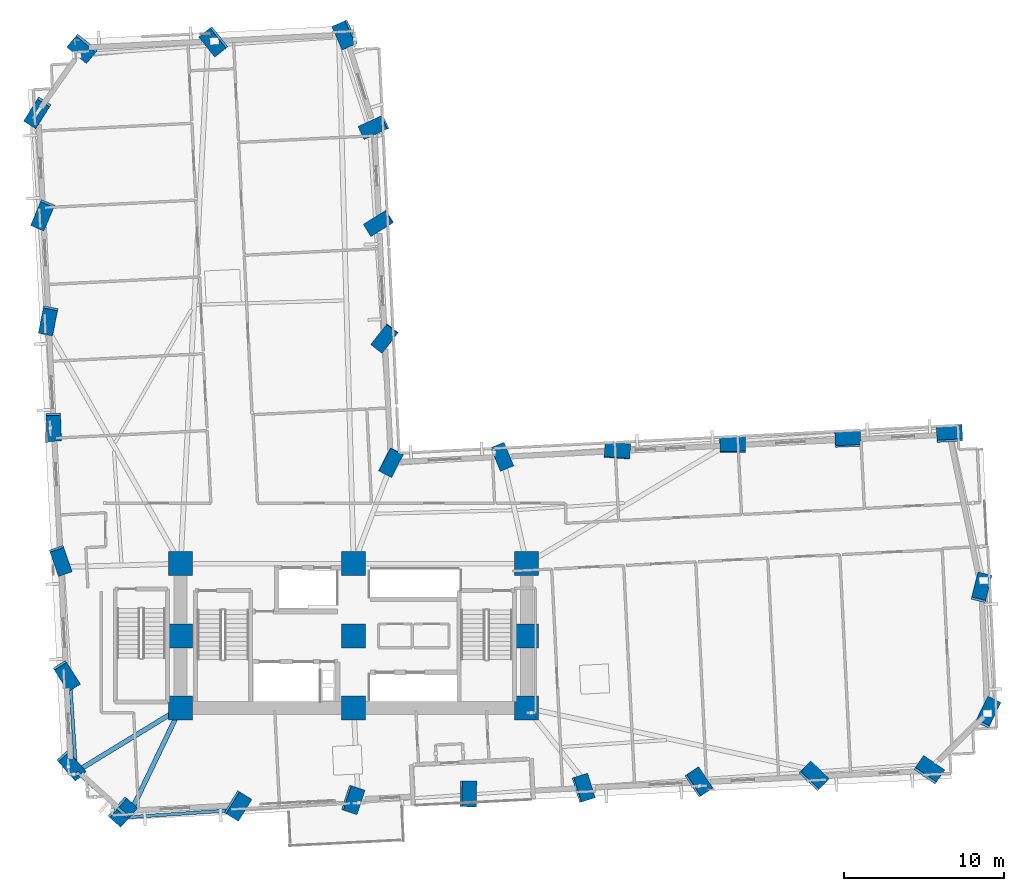
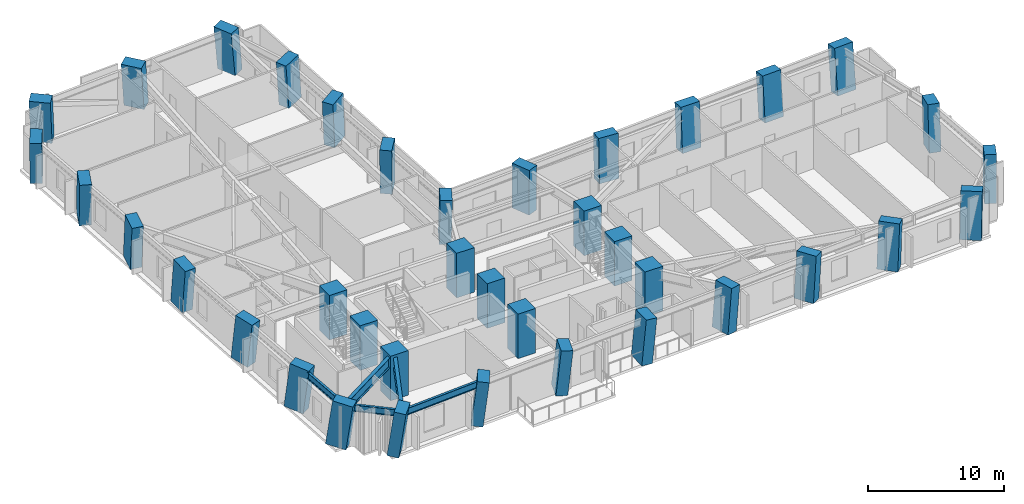
# One storey, part 1 of 15: 38 columns, 5 beams.
"""IFC4 building model written with IfcOpenShell, lengths in metres."""

from ifc_helpers import new_model, si_unit, direction, frame, origin, origin_2d, place, context, subcontext, project, spatial, rectangle, i_section, extrude, material, material_profile, profile_set, type_object, element, save


model = new_model("IFC4")

# Units and contexts
model_context = context("Model", 3, precision=1e-05, world=origin(), true_north=direction((0.0, 1.0)))
body_context = subcontext(model_context, "Body", "Model", "MODEL_VIEW")
ifc_project = project(units=[si_unit("LENGTHUNIT", "METRE"), si_unit("AREAUNIT", "SQUARE_METRE"), si_unit("VOLUMEUNIT", "CUBIC_METRE"), si_unit("PLANEANGLEUNIT", "RADIAN"), si_unit("MASSUNIT", "GRAM", prefix="KILO")], contexts=[model_context])

# Site, building, storey
site_placement = place(None, origin())
site = spatial("IfcSite", under=ifc_project, at=site_placement, CompositionType="ELEMENT")
building_placement = place(site_placement, origin())
building = spatial("IfcBuilding", under=site, at=building_placement, Name="Gaonmaruhae Medical Tower", CompositionType="ELEMENT")
storey_placement = place(building_placement, frame((0.0, 0.0, 35.0)))
storey = spatial("IfcBuildingStorey", under=building, at=storey_placement, Name="L07", CompositionType="ELEMENT", Elevation=35.0)

# Columns
ifc_material_1 = material(Name="Concrete C60/75", Category="concrete")
ifc_material_profile_1 = material_profile(ifc_material_1, rectangle(XDim=1.5, YDim=1.5, at=origin_2d()), Name="RC-1500x1500")
ifc_profile_set_1 = profile_set([ifc_material_profile_1], Name="Concrete C60/75")
column_type_1 = type_object("IfcColumnType", Name="CC-02 Zone 1 Core Column (RC-1500x1500)", PredefinedType="COLUMN", material=ifc_profile_set_1)
for number, where, z_axis, x_axis, name in (
    (1, (14.0, 7.800048828125, 0.0), (0.0, 0.0, 1.0), (1.0, 0.0, 0.0), "L07 Plumb Core Column CC11"),
    (2, (14.0, 12.300048828125, 0.0), (0.0, 0.0, 1.0), (1.0, 0.0, 0.0), "L07 Plumb Core Column CC12"),
    (3, (14.0, 16.800048828125, 0.0), (0.0, 0.0, 1.0), (1.0, 0.0, 0.0), "L07 Plumb Core Column CC13"),
    (4, (24.800048828125, 7.800048828125, 0.0), (0.0, 0.0, 1.0), (1.0, 0.0, 0.0), "L07 Plumb Core Column CC21"),
    (5, (24.800048828125, 12.300048828125, 0.0), (0.0, 0.0, 1.0), (1.0, 0.0, 0.0), "L07 Plumb Core Column CC22"),
    (6, (24.800048828125, 16.800048828125, 0.0), (0.0, 0.0, 1.0), (1.0, 0.0, 0.0), "L07 Plumb Core Column CC23"),
    (7, (35.60009765625, 7.800048828125, 0.0), (0.0, 0.0, 1.0), (1.0, 0.0, 0.0), "L07 Plumb Core Column CC31"),
    (8, (35.60009765625, 12.300048828125, 0.0), (0.0, 0.0, 1.0), (1.0, 0.0, 0.0), "L07 Plumb Core Column CC32"),
    (9, (35.60009765625, 16.800048828125, 0.0), (0.0, 0.0, 1.0), (1.0, 0.0, 0.0), "L07 Plumb Core Column CC33"),
):
    element("IfcColumn", number, at=place(storey_placement, frame(where, z_axis=z_axis, x_axis=x_axis)), inside=storey, type_object=column_type_1, Name=name, PredefinedType="COLUMN", context=body_context, shape_type="SweptSolid", body=[
        extrude(rectangle(XDim=1.5, YDim=1.5, at=origin_2d()), origin(), (0.0, 0.0, 1.0), 4.0),
    ])
ifc_material_profile_2 = material_profile(ifc_material_1, rectangle(XDim=1.60009765625, YDim=0.89990234375, at=origin_2d()), Name="RC-1600x900")
ifc_profile_set_2 = profile_set([ifc_material_profile_2], Name="Concrete C60/75")
column_type_2 = type_object("IfcColumnType", Name="TC-01 Lower Raking Tube Pier Column (RC-1600x900)", PredefinedType="COLUMN", material=ifc_profile_set_2)
column_1_placement = place(storey_placement, frame((10.336669921875, 1.3642578125, 0.001708984375), z_axis=(0.097018175164, -0.094778828638, 0.990759530527), x_axis=(0.662701179656, 0.748853569612, 0.00674372016)))
element("IfcColumn", 10, at=column_1_placement, inside=storey, type_object=column_type_2, Name="L07 Perimeter Tube Column S01", PredefinedType="COLUMN", context=body_context, shape_type="SweptSolid", body=[
    extrude(rectangle(XDim=1.60009765625, YDim=0.89990234375, at=origin_2d()), origin(), (0.0, 0.0, 1.0), 4.033935546875),
])
column_2_placement = place(storey_placement, frame((17.52783203125, 1.72216796875, 0.001708984375), z_axis=(0.095565628667, -0.065348687031, 0.993275772241), x_axis=(0.522993171895, 0.85231743292, 0.005756360997)))
element("IfcColumn", 11, at=column_2_placement, inside=storey, type_object=column_type_2, Name="L07 Perimeter Tube Column S02", PredefinedType="COLUMN", context=body_context, shape_type="SweptSolid", body=[
    extrude(rectangle(XDim=1.60009765625, YDim=0.89990234375, at=origin_2d()), origin(), (0.0, 0.0, 1.0), 4.023681640625),
])
column_3_placement = place(storey_placement, frame((24.71875, 2.080322265625, 0.001708984375), z_axis=(0.094022453449, -0.035858595691, 0.994924087236), x_axis=(0.309684632401, 0.950826164268, 0.005003378778)))
element("IfcColumn", 12, at=column_3_placement, inside=storey, type_object=column_type_2, Name="L07 Perimeter Tube Column S03", PredefinedType="COLUMN", context=body_context, shape_type="SweptSolid", body=[
    extrude(rectangle(XDim=1.60009765625, YDim=0.89990234375, at=origin_2d()), origin(), (0.0, 0.0, 1.0), 4.01708984375),
])
column_4_placement = place(storey_placement, frame((31.909912109375, 2.438232421875, 0.001708984375), z_axis=(0.092332687051, -0.006204172648, 0.995708884737), x_axis=(0.017562948544, 0.999835172037, 0.004601260333)))
element("IfcColumn", 13, at=column_4_placement, inside=storey, type_object=column_type_2, Name="L07 Perimeter Tube Column S04", PredefinedType="COLUMN", context=body_context, shape_type="SweptSolid", body=[
    extrude(rectangle(XDim=1.60009765625, YDim=0.89990234375, at=origin_2d()), origin(), (0.0, 0.0, 1.0), 4.013916015625),
])
column_5_placement = place(storey_placement, frame((39.10107421875, 2.79638671875, 0.001708984375), z_axis=(0.090620596554, 0.023415389043, 0.995610178251), x_axis=(-0.297792329454, 0.954619333029, 0.004653764671)))
element("IfcColumn", 14, at=column_5_placement, inside=storey, type_object=column_type_2, Name="L07 Perimeter Tube Column S05", PredefinedType="COLUMN", context=body_context, shape_type="SweptSolid", body=[
    extrude(rectangle(XDim=1.60009765625, YDim=0.89990234375, at=origin_2d()), origin(), (0.0, 0.0, 1.0), 4.01416015625),
])
column_6_placement = place(storey_placement, frame((46.2919921875, 3.154296875, 0.001708984375), z_axis=(0.088830136437, 0.053103652015, 0.994630187056), x_axis=(-0.554926765968, 0.831883288109, 0.005145811731)))
element("IfcColumn", 15, at=column_6_placement, inside=storey, type_object=column_type_2, Name="L07 Perimeter Tube Column S06", PredefinedType="COLUMN", context=body_context, shape_type="SweptSolid", body=[
    extrude(rectangle(XDim=1.60009765625, YDim=0.89990234375, at=origin_2d()), origin(), (0.0, 0.0, 1.0), 4.01806640625),
])
column_7_placement = place(storey_placement, frame((53.483154296875, 3.512451171875, 0.001708984375), z_axis=(0.086907127441, 0.082540544625, 0.992791120877), x_axis=(-0.723597056853, 0.690196916822, 0.005959473346)))
element("IfcColumn", 16, at=column_7_placement, inside=storey, type_object=column_type_2, Name="L07 Perimeter Tube Column S07", PredefinedType="COLUMN", context=body_context, shape_type="SweptSolid", body=[
    extrude(rectangle(XDim=1.60009765625, YDim=0.89990234375, at=origin_2d()), origin(), (0.0, 0.0, 1.0), 4.025634765625),
])
column_8_placement = place(storey_placement, frame((60.67431640625, 3.870361328125, 0.001708984375), z_axis=(0.084976945344, 0.111830869709, 0.990087256428), x_axis=(-0.825011281974, 0.565073105602, 0.006983547887)))
element("IfcColumn", 17, at=column_8_placement, inside=storey, type_object=column_type_2, Name="L07 Perimeter Tube Column S08", PredefinedType="COLUMN", context=body_context, shape_type="SweptSolid", body=[
    extrude(rectangle(XDim=1.60009765625, YDim=0.89990234375, at=origin_2d()), origin(), (0.0, 0.0, 1.0), 4.03662109375),
])
column_9_placement = place(storey_placement, frame((64.350341796875, 7.457763671875, 0.001708984375), z_axis=(0.070114545338, 0.126689730196, 0.989461299291), x_axis=(-0.435025473786, -0.888728492424, 0.144618477075)))
element("IfcColumn", 18, at=column_9_placement, inside=storey, type_object=column_type_2, Name="L07 Perimeter Tube Column E01", PredefinedType="COLUMN", context=body_context, shape_type="SweptSolid", body=[
    extrude(rectangle(XDim=1.60009765625, YDim=0.89990234375, at=origin_2d()), origin(), (0.0, 0.0, 1.0), 4.0390625),
])
column_10_placement = place(storey_placement, frame((63.962646484375, 15.248046875, 0.001708984375), z_axis=(0.038214822895, 0.125121749765, 0.991405151816), x_axis=(-0.241679275688, -0.961518391269, 0.130665645652)))
element("IfcColumn", 19, at=column_10_placement, inside=storey, type_object=column_type_2, Name="L07 Perimeter Tube Column E02", PredefinedType="COLUMN", context=body_context, shape_type="SweptSolid", body=[
    extrude(rectangle(XDim=1.60009765625, YDim=0.89990234375, at=origin_2d()), origin(), (0.0, 0.0, 1.0), 4.03125),
])
column_11_placement = place(storey_placement, frame((61.982177734375, 24.861572265625, 0.001708984375), z_axis=(-0.001274054745, 0.116788351669, 0.993156008741), x_axis=(-0.998165031682, -0.060273092584, 0.00580722282)))
element("IfcColumn", 20, at=column_11_placement, inside=storey, type_object=column_type_2, Name="L07 Perimeter Tube Column E03", PredefinedType="COLUMN", context=body_context, shape_type="SweptSolid", body=[
    extrude(rectangle(XDim=1.60009765625, YDim=0.89990234375, at=origin_2d()), origin(), (0.0, 0.0, 1.0), 4.024169921875),
])
column_12_placement = place(storey_placement, frame((55.639892578125, 24.545654296875, 0.001708984375), z_axis=(0.000304169263, 0.091007443375, 0.995850165804), x_axis=(-0.998923039729, -0.046176668444, 0.00452504039)))
element("IfcColumn", 21, at=column_12_placement, inside=storey, type_object=column_type_2, Name="L07 Perimeter Tube Column EN01", PredefinedType="COLUMN", context=body_context, shape_type="SweptSolid", body=[
    extrude(rectangle(XDim=1.60009765625, YDim=0.89990234375, at=origin_2d()), origin(), (0.0, 0.0, 1.0), 4.01318359375),
])
column_13_placement = place(storey_placement, frame((48.44873046875, 24.187744140625, 0.001708984375), z_axis=(0.002073047008, 0.061398774634, 0.998111162621), x_axis=(-0.999868976749, -0.01589650689, 0.003054571023)))
element("IfcColumn", 22, at=column_13_placement, inside=storey, type_object=column_type_2, Name="L07 Perimeter Tube Column EN02", PredefinedType="COLUMN", context=body_context, shape_type="SweptSolid", body=[
    extrude(rectangle(XDim=1.60009765625, YDim=0.89990234375, at=origin_2d()), origin(), (0.0, 0.0, 1.0), 4.004150390625),
])
column_14_placement = place(storey_placement, frame((41.2578125, 23.82958984375, 0.001708984375), z_axis=(0.003724424228, 0.031749190144, 0.999488928197), x_axis=(-0.997751228321, 0.067007164318, 0.001589437965)))
element("IfcColumn", 23, at=column_14_placement, inside=storey, type_object=column_type_2, Name="L07 Perimeter Tube Column EN03", PredefinedType="COLUMN", context=body_context, shape_type="SweptSolid", body=[
    extrude(rectangle(XDim=1.60009765625, YDim=0.89990234375, at=origin_2d()), origin(), (0.0, 0.0, 1.0), 3.99853515625),
])
column_15_placement = place(storey_placement, frame((34.066650390625, 23.4716796875, 0.001708984375), z_axis=(0.00549776835, 0.00195476208, 0.999982976579), x_axis=(-0.381442714794, 0.924392433526, 0.000290121348)))
element("IfcColumn", 24, at=column_15_placement, inside=storey, type_object=column_type_2, Name="L07 Perimeter Tube Column EN04", PredefinedType="COLUMN", context=body_context, shape_type="SweptSolid", body=[
    extrude(rectangle(XDim=1.60009765625, YDim=0.89990234375, at=origin_2d()), origin(), (0.0, 0.0, 1.0), 3.99658203125),
])
column_16_placement = place(storey_placement, frame((27.125244140625, 23.1259765625, 0.001708984375), z_axis=(0.007144481212, -0.02674600659, 0.999616730312), x_axis=(0.457080602538, 0.889188431992, 0.020524502304)))
element("IfcColumn", 25, at=column_16_placement, inside=storey, type_object=column_type_2, Name="L07 Perimeter Tube Column KN01", PredefinedType="COLUMN", context=body_context, shape_type="SweptSolid", body=[
    extrude(rectangle(XDim=1.60009765625, YDim=0.89990234375, at=origin_2d()), origin(), (0.0, 0.0, 1.0), 3.998046875),
])
column_17_placement = place(storey_placement, frame((26.73974609375, 30.866455078125, 0.001708984375), z_axis=(-0.024844684533, -0.028629378491, 0.999281291898), x_axis=(0.616586966732, 0.786375969317, 0.03785957392)))
element("IfcColumn", 26, at=column_17_placement, inside=storey, type_object=column_type_2, Name="L07 Perimeter Tube Column NE01", PredefinedType="COLUMN", context=body_context, shape_type="SweptSolid", body=[
    extrude(rectangle(XDim=1.60009765625, YDim=0.89990234375, at=origin_2d()), origin(), (0.0, 0.0, 1.0), 3.99951171875),
])
column_18_placement = place(storey_placement, frame((26.3818359375, 38.057373046875, 0.001708984375), z_axis=(-0.05462737064, -0.030301119652, 0.998046939039), x_axis=(0.847573936457, 0.526996927987, 0.062391186333)))
element("IfcColumn", 27, at=column_18_placement, inside=storey, type_object=column_type_2, Name="L07 Perimeter Tube Column NE02", PredefinedType="COLUMN", context=body_context, shape_type="SweptSolid", body=[
    extrude(rectangle(XDim=1.60009765625, YDim=0.89990234375, at=origin_2d()), origin(), (0.0, 0.0, 1.0), 4.00439453125),
])
column_19_placement = place(storey_placement, frame((26.08349609375, 44.050048828125, 0.001708984375), z_axis=(-0.079245481907, -0.031710365648, 0.996350644255), x_axis=(0.905423019564, 0.415862685284, 0.085248945052)))
element("IfcColumn", 28, at=column_19_placement, inside=storey, type_object=column_type_2, Name="L07 Perimeter Tube Column NE03", PredefinedType="COLUMN", context=body_context, shape_type="SweptSolid", body=[
    extrude(rectangle(XDim=1.60009765625, YDim=0.89990234375, at=origin_2d()), origin(), (0.0, 0.0, 1.0), 4.01123046875),
])
column_20_placement = place(storey_placement, frame((24.29443359375, 49.818115234375, 0.001708984375), z_axis=(-0.102793283922, -0.039162237525, 0.993931516722), x_axis=(0.401759547153, -0.915728863869, 0.005469382782)))
element("IfcColumn", 29, at=column_20_placement, inside=storey, type_object=column_type_2, Name="L07 Perimeter Tube Column N01", PredefinedType="COLUMN", context=body_context, shape_type="SweptSolid", body=[
    extrude(rectangle(XDim=1.60009765625, YDim=0.89990234375, at=origin_2d()), origin(), (0.0, 0.0, 1.0), 4.02099609375),
])
column_21_placement = place(storey_placement, frame((16.1044921875, 49.410400390625, 0.001708984375), z_axis=(-0.100619939354, -0.072797919978, 0.992258076637), x_axis=(0.625414370544, -0.780268372995, 0.006175048206)))
element("IfcColumn", 30, at=column_21_placement, inside=storey, type_object=column_type_2, Name="L07 Perimeter Tube Column N02", PredefinedType="COLUMN", context=body_context, shape_type="SweptSolid", body=[
    extrude(rectangle(XDim=1.60009765625, YDim=0.89990234375, at=origin_2d()), origin(), (0.0, 0.0, 1.0), 4.02783203125),
])
column_22_placement = place(storey_placement, frame((7.91455078125, 49.002685546875, 0.001708984375), z_axis=(-0.098342527384, -0.106200258521, 0.989469682405), x_axis=(0.766249314578, -0.64250307052, 0.007196685395)))
element("IfcColumn", 31, at=column_22_placement, inside=storey, type_object=column_type_2, Name="L07 Perimeter Tube Column N03", PredefinedType="COLUMN", context=body_context, shape_type="SweptSolid", body=[
    extrude(rectangle(XDim=1.60009765625, YDim=0.89990234375, at=origin_2d()), origin(), (0.0, 0.0, 1.0), 4.0390625),
])
column_23_placement = place(storey_placement, frame((5.10986328125, 45.00830078125, 0.001708984375), z_axis=(-0.081918966219, -0.117588479185, 0.989677842804), x_axis=(0.52422320017, 0.839465927074, 0.143132783408)))
element("IfcColumn", 32, at=column_23_placement, inside=storey, type_object=column_type_2, Name="L07 Perimeter Tube Column W01", PredefinedType="COLUMN", context=body_context, shape_type="SweptSolid", body=[
    extrude(rectangle(XDim=1.60009765625, YDim=0.89990234375, at=origin_2d()), origin(), (0.0, 0.0, 1.0), 4.038330078125),
])
column_24_placement = place(storey_placement, frame((5.427978515625, 38.6162109375, 0.001708984375), z_axis=(-0.055791389838, -0.116307783376, 0.991645007221), x_axis=(0.383527593879, 0.914498520054, 0.128837267713)))
element("IfcColumn", 33, at=column_24_placement, inside=storey, type_object=column_type_2, Name="L07 Perimeter Tube Column W02", PredefinedType="COLUMN", context=body_context, shape_type="SweptSolid", body=[
    extrude(rectangle(XDim=1.60009765625, YDim=0.89990234375, at=origin_2d()), origin(), (0.0, 0.0, 1.0), 4.0302734375),
])
column_25_placement = place(storey_placement, frame((5.75634765625, 32.0244140625, 0.001708984375), z_axis=(-0.028812242657, -0.11488502651, 0.992960867989), x_axis=(0.193019646843, 0.974037670364, 0.118296376293)))
element("IfcColumn", 34, at=column_25_placement, inside=storey, type_object=column_type_2, Name="L07 Perimeter Tube Column W03", PredefinedType="COLUMN", context=body_context, shape_type="SweptSolid", body=[
    extrude(rectangle(XDim=1.60009765625, YDim=0.89990234375, at=origin_2d()), origin(), (0.0, 0.0, 1.0), 4.02490234375),
])
column_26_placement = place(storey_placement, frame((6.0869140625, 25.382568359375, 0.001708984375), z_axis=(-0.001456651927, -0.113315381125, 0.993558001611), x_axis=(-0.036962080994, 0.99288622538, 0.113184575006)))
element("IfcColumn", 35, at=column_26_placement, inside=storey, type_object=column_type_2, Name="L07 Perimeter Tube Column W04", PredefinedType="COLUMN", context=body_context, shape_type="SweptSolid", body=[
    extrude(rectangle(XDim=1.60009765625, YDim=0.89990234375, at=origin_2d()), origin(), (0.0, 0.0, 1.0), 4.0224609375),
])
column_27_placement = place(storey_placement, frame((6.502197265625, 17.04296875, 0.001708984375), z_axis=(0.032885474542, -0.111337353845, 0.993238410052), x_axis=(-0.328691117165, 0.937292914665, 0.11594887501)))
element("IfcColumn", 36, at=column_27_placement, inside=storey, type_object=column_type_2, Name="L07 Perimeter Tube Column W05", PredefinedType="COLUMN", context=body_context, shape_type="SweptSolid", body=[
    extrude(rectangle(XDim=1.60009765625, YDim=0.89990234375, at=origin_2d()), origin(), (0.0, 0.0, 1.0), 4.023681640625),
])
column_28_placement = place(storey_placement, frame((6.8603515625, 9.851806640625, 0.001708984375), z_axis=(0.062358210805, -0.109445023046, 0.992034898819), x_axis=(-0.533701082068, 0.836262890195, 0.125807525543)))
element("IfcColumn", 37, at=column_28_placement, inside=storey, type_object=column_type_2, Name="L07 Perimeter Tube Column W06", PredefinedType="COLUMN", context=body_context, shape_type="SweptSolid", body=[
    extrude(rectangle(XDim=1.60009765625, YDim=0.89990234375, at=origin_2d()), origin(), (0.0, 0.0, 1.0), 4.028564453125),
])
column_29_placement = place(storey_placement, frame((7.138671875, 4.2587890625, 0.001708984375), z_axis=(0.085253947103, -0.107943961413, 0.990494758036), x_axis=(-0.652169766377, 0.745520781844, 0.13738034671)))
element("IfcColumn", 38, at=column_29_placement, inside=storey, type_object=column_type_2, Name="L07 Perimeter Tube Column W07", PredefinedType="COLUMN", context=body_context, shape_type="SweptSolid", body=[
    extrude(rectangle(XDim=1.60009765625, YDim=0.89990234375, at=origin_2d()), origin(), (0.0, 0.0, 1.0), 4.034912109375),
])

# Beams
ifc_material_2 = material(Name="Steel SM420", Category="steel")
ifc_material_profile_3 = material_profile(ifc_material_2, i_section(OverallWidth=0.300048828125, OverallDepth=0.89990234375, WebThickness=0.01611328125, FlangeThickness=0.028076171875, FilletRadius=0.01806640625, at=origin_2d()), Name="H-900x300x16x28")
ifc_profile_set_3 = profile_set([ifc_material_profile_3], Name="Steel SM420")
beam_type_1 = type_object("IfcBeamType", Name="PG-01 Zone 1 Radial Floor Girder (H-900x300x16x28)", PredefinedType="BEAM", material=ifc_profile_set_3)
beam_1_placement = place(storey_placement, frame((13.978271484375, 7.7548828125, 3.330078125), z_axis=(-0.43262896201, -0.90157206103, 0.0), x_axis=(0.90157206103, -0.43262896201, 0.0)))
element("IfcBeam", 39, at=beam_1_placement, inside=storey, type_object=beam_type_1, Name="L07 Radial Primary Girder S01", PredefinedType="BEAM", context=body_context, shape_type="SweptSolid", body=[
    extrude(i_section(OverallWidth=0.300048828125, OverallDepth=0.89990234375, WebThickness=0.01611328125, FlangeThickness=0.028076171875, FilletRadius=0.01806640625, at=origin_2d()), origin(), (0.0, 0.0, 1.0), 7.462646484375),
])
beam_2_placement = place(storey_placement, frame((13.957275390625, 7.77392578125, 3.330078125), z_axis=(-0.853623652238, -0.520890257482, 0.0), x_axis=(0.520890257482, -0.853623652238, 0.0)))
element("IfcBeam", 40, at=beam_2_placement, inside=storey, type_object=beam_type_1, Name="L07 Radial Primary Girder W07", PredefinedType="BEAM", context=body_context, shape_type="SweptSolid", body=[
    extrude(i_section(OverallWidth=0.300048828125, OverallDepth=0.89990234375, WebThickness=0.01611328125, FlangeThickness=0.028076171875, FilletRadius=0.01806640625, at=origin_2d()), origin(), (0.0, 0.0, 1.0), 7.534912109375),
])
ifc_material_3 = material(Name="Steel SM355", Category="steel")
ifc_material_profile_4 = material_profile(ifc_material_3, i_section(OverallWidth=0.199951171875, OverallDepth=0.60009765625, WebThickness=0.010986328125, FlangeThickness=0.01708984375, FilletRadius=0.012939453125, at=origin_2d()), Name="H-600x200x11x17")
ifc_profile_set_4 = profile_set([ifc_material_profile_4], Name="Steel SM355")
beam_type_2 = type_object("IfcBeamType", Name="SP-01 Lower Perimeter Spandrel Beam (H-600x200x11x17)", PredefinedType="SPANDREL", material=ifc_profile_set_4)
beam_3_placement = place(storey_placement, frame((10.76806640625, 0.984375, 3.47998046875), z_axis=(0.997801059832, 0.066280049782, 0.0), x_axis=(-0.066280049782, 0.997801059832, 0.0)))
element("IfcBeam", 41, at=beam_3_placement, inside=storey, type_object=beam_type_2, Name="L07 Perimeter Spandrel Beam S01-S02", PredefinedType="SPANDREL", context=body_context, shape_type="SweptSolid", body=[
    extrude(i_section(OverallWidth=0.199951171875, OverallDepth=0.60009765625, WebThickness=0.010986328125, FlangeThickness=0.01708984375, FilletRadius=0.012939453125, at=origin_2d()), origin(), (0.0, 0.0, 1.0), 7.1201171875),
])
beam_4_placement = place(storey_placement, frame((7.1142578125, 9.370849609375, 3.47998046875), z_axis=(0.066295918108, -0.997800005633, 0.0), x_axis=(0.997800005633, 0.066295918108, 0.0)))
element("IfcBeam", 42, at=beam_4_placement, inside=storey, type_object=beam_type_2, Name="L07 Perimeter Spandrel Beam W06-W07", PredefinedType="SPANDREL", context=body_context, shape_type="SweptSolid", body=[
    extrude(i_section(OverallWidth=0.199951171875, OverallDepth=0.60009765625, WebThickness=0.010986328125, FlangeThickness=0.01708984375, FilletRadius=0.012939453125, at=origin_2d()), origin(), (0.0, 0.0, 1.0), 5.520263671875),
])
beam_5_placement = place(storey_placement, frame((7.512939453125, 3.796630859375, 3.47998046875), z_axis=(0.752437348102, -0.658663827139, 0.0), x_axis=(0.658663827139, 0.752437348102, 0.0)))
element("IfcBeam", 43, at=beam_5_placement, inside=storey, type_object=beam_type_2, Name="L07 Perimeter Spandrel Beam W07-S01", PredefinedType="SPANDREL", context=body_context, shape_type="SweptSolid", body=[
    extrude(i_section(OverallWidth=0.199951171875, OverallDepth=0.60009765625, WebThickness=0.010986328125, FlangeThickness=0.01708984375, FilletRadius=0.012939453125, at=origin_2d()), origin(), (0.0, 0.0, 1.0), 4.2333984375),
])

save(model, "model.ifc")
